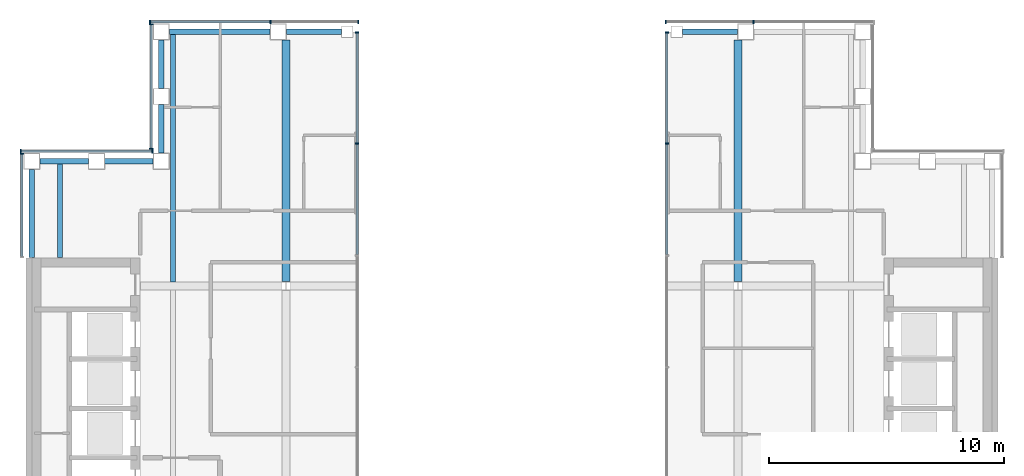
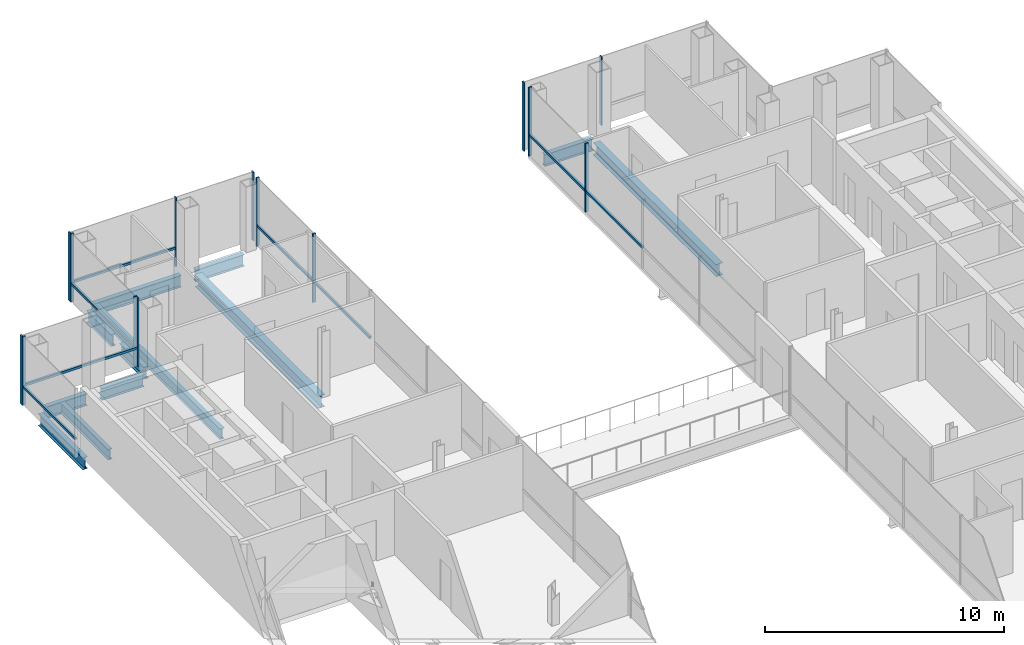
# One storey, part 7 of 15: 22 members, 12 beams, 7 elements without a shape of their own.
"""IFC4 building model written with IfcOpenShell, lengths in metres."""

from ifc_helpers import new_model, si_unit, direction, frame, origin, origin_2d, place, context, subcontext, project, spatial, rectangle, i_section, extrude, material, material_profile, profile_set, type_object, element, aggregate, save


model = new_model("IFC4")

# Units and contexts
model_context = context("Model", 3, precision=1e-05, world=origin(), true_north=direction((0.0, 1.0)))
body_context = subcontext(model_context, "Body", "Model", "MODEL_VIEW")
ifc_project = project(units=[si_unit("LENGTHUNIT", "METRE"), si_unit("AREAUNIT", "SQUARE_METRE"), si_unit("VOLUMEUNIT", "CUBIC_METRE"), si_unit("PLANEANGLEUNIT", "RADIAN"), si_unit("MASSUNIT", "GRAM", prefix="KILO")], contexts=[model_context])

# Site, building, storey
site_placement = place(None, origin())
site = spatial("IfcSite", under=ifc_project, at=site_placement, CompositionType="ELEMENT")
building_placement = place(site_placement, origin())
building = spatial("IfcBuilding", under=site, at=building_placement, Name="Cobrizo Arcos Hotel Tower", CompositionType="ELEMENT")
storey_placement = place(building_placement, frame((0.0, 0.0, 222.5)))
storey = spatial("IfcBuildingStorey", under=building, at=storey_placement, Name="L58", CompositionType="ELEMENT", Elevation=222.5)

# Curtain wall, members
ifc_material_1 = material(Name="Aluminium 6063-T6 anodised bronze", Category="aluminium")
curtain_wall_type_1 = type_object("IfcCurtainWallType", Name="CW-A guest facade", PredefinedType="NOTDEFINED", material=ifc_material_1)
curtain_wall_1_placement = place(storey_placement, origin())
curtain_wall_1 = element("IfcCurtainWall", 1, at=curtain_wall_1_placement, inside=storey, type_object=curtain_wall_type_1, Name="CW-A L58 N face", PredefinedType="NOTDEFINED")
ifc_material_profile_1 = material_profile(ifc_material_1, rectangle(XDim=0.14990234375, YDim=0.06005859375, at=origin_2d()), Name="CW-A mullion 150x60")
ifc_profile_set_1 = profile_set([ifc_material_profile_1], Name="Aluminium 6063-T6 anodised bronze")
member_type_1 = type_object("IfcMemberType", Name="CW-A mullion 150x60", PredefinedType="MULLION", material=ifc_profile_set_1)
member_1_placement = place(storey_placement, frame((10.2666015625, 20.824951171875, 0.0), z_axis=(0.0, 0.0, 1.0), x_axis=(0.0, 1.0, 0.0)))
member_1 = element("IfcMember", 2, at=member_1_placement, type_object=member_type_1, Name="CW-A mullion 2", PredefinedType="MULLION", context=body_context, shape_type="SweptSolid", body=[
    extrude(rectangle(XDim=0.14990234375, YDim=0.06005859375, at=origin_2d()), origin(), (0.0, 0.0, 1.0), 3.5),
])
member_2_placement = place(storey_placement, frame((6.530029296875, 20.824951171875, 0.0), z_axis=(0.0, 0.0, 1.0), x_axis=(0.0, 1.0, 0.0)))
member_2 = element("IfcMember", 3, at=member_2_placement, type_object=member_type_1, Name="CW-A mullion 3", PredefinedType="MULLION", context=body_context, shape_type="SweptSolid", body=[
    extrude(rectangle(XDim=0.14990234375, YDim=0.06005859375, at=origin_2d()), origin(), (0.0, 0.0, 1.0), 3.5),
])
aggregate(curtain_wall_1, [member_1, member_2])

curtain_wall_2_placement = place(storey_placement, origin())
curtain_wall_2 = element("IfcCurtainWall", 4, at=curtain_wall_2_placement, inside=storey, type_object=curtain_wall_type_1, Name="CW-A L58 N face", PredefinedType="NOTDEFINED")
member_3_placement = place(storey_placement, frame((-6.530029296875, 20.824951171875, 0.0), z_axis=(0.0, 0.0, 1.0), x_axis=(0.0, 1.0, 0.0)))
member_3 = element("IfcMember", 5, at=member_3_placement, type_object=member_type_1, Name="CW-A mullion 1", PredefinedType="MULLION", context=body_context, shape_type="SweptSolid", body=[
    extrude(rectangle(XDim=0.14990234375, YDim=0.06005859375, at=origin_2d()), origin(), (0.0, 0.0, 1.0), 3.5),
])
member_4_placement = place(storey_placement, frame((-10.2666015625, 20.824951171875, 0.0), z_axis=(0.0, 0.0, 1.0), x_axis=(0.0, 1.0, 0.0)))
member_4 = element("IfcMember", 6, at=member_4_placement, type_object=member_type_1, Name="CW-A mullion 2", PredefinedType="MULLION", context=body_context, shape_type="SweptSolid", body=[
    extrude(rectangle(XDim=0.14990234375, YDim=0.06005859375, at=origin_2d()), origin(), (0.0, 0.0, 1.0), 3.5),
])
member_5_placement = place(storey_placement, frame((-15.3701171875, 20.824951171875, 0.0), z_axis=(0.0, 0.0, 1.0), x_axis=(0.0, 1.0, 0.0)))
member_5 = element("IfcMember", 7, at=member_5_placement, type_object=member_type_1, Name="CW-A mullion 3", PredefinedType="MULLION", context=body_context, shape_type="SweptSolid", body=[
    extrude(rectangle(XDim=0.14990234375, YDim=0.06005859375, at=origin_2d()), origin(), (0.0, 0.0, 1.0), 3.5),
])

curtain_wall_3_placement = place(storey_placement, origin())
curtain_wall_3 = element("IfcCurtainWall", 8, at=curtain_wall_3_placement, inside=storey, type_object=curtain_wall_type_1, Name="CW-A L58 W face", PredefinedType="NOTDEFINED")
member_6_placement = place(storey_placement, frame((-15.324951171875, 20.719970703125, 0.0), z_axis=(0.0, 0.0, 1.0), x_axis=(-1.0, 0.0, 0.0)))
member_6 = element("IfcMember", 9, at=member_6_placement, type_object=member_type_1, Name="CW-A mullion 1", PredefinedType="MULLION", context=body_context, shape_type="SweptSolid", body=[
    extrude(rectangle(XDim=0.14990234375, YDim=0.06005859375, at=origin_2d()), origin(), (0.0, 0.0, 1.0), 3.5),
])
member_7_placement = place(storey_placement, frame((-15.324951171875, 15.429931640625, 0.0), z_axis=(0.0, 0.0, 1.0), x_axis=(-1.0, 0.0, 0.0)))
member_7 = element("IfcMember", 10, at=member_7_placement, type_object=member_type_1, Name="CW-A mullion 2", PredefinedType="MULLION", context=body_context, shape_type="SweptSolid", body=[
    extrude(rectangle(XDim=0.14990234375, YDim=0.06005859375, at=origin_2d()), origin(), (0.0, 0.0, 1.0), 3.5),
])

curtain_wall_4_placement = place(storey_placement, origin())
curtain_wall_4 = element("IfcCurtainWall", 11, at=curtain_wall_4_placement, inside=storey, type_object=curtain_wall_type_1, Name="CW-A L58 N face", PredefinedType="NOTDEFINED")
member_8_placement = place(storey_placement, frame((-15.280029296875, 15.324951171875, 0.0), z_axis=(0.0, 0.0, 1.0), x_axis=(0.0, 1.0, 0.0)))
member_8 = element("IfcMember", 12, at=member_8_placement, type_object=member_type_1, Name="CW-A mullion 1", PredefinedType="MULLION", context=body_context, shape_type="SweptSolid", body=[
    extrude(rectangle(XDim=0.14990234375, YDim=0.06005859375, at=origin_2d()), origin(), (0.0, 0.0, 1.0), 3.5),
])
member_9_placement = place(storey_placement, frame((-20.8701171875, 15.324951171875, 0.0), z_axis=(0.0, 0.0, 1.0), x_axis=(0.0, 1.0, 0.0)))
member_9 = element("IfcMember", 13, at=member_9_placement, type_object=member_type_1, Name="CW-A mullion 2", PredefinedType="MULLION", context=body_context, shape_type="SweptSolid", body=[
    extrude(rectangle(XDim=0.14990234375, YDim=0.06005859375, at=origin_2d()), origin(), (0.0, 0.0, 1.0), 3.5),
])

# Curtain wall, member
curtain_wall_5_placement = place(storey_placement, origin())
curtain_wall_5 = element("IfcCurtainWall", 14, at=curtain_wall_5_placement, inside=storey, type_object=curtain_wall_type_1, Name="CW-A L58 W face", PredefinedType="NOTDEFINED")
member_10_placement = place(storey_placement, frame((-20.824951171875, 15.219970703125, 0.0), z_axis=(0.0, 0.0, 1.0), x_axis=(-1.0, 0.0, 0.0)))
member_10 = element("IfcMember", 15, at=member_10_placement, type_object=member_type_1, Name="CW-A mullion 1", PredefinedType="MULLION", context=body_context, shape_type="SweptSolid", body=[
    extrude(rectangle(XDim=0.14990234375, YDim=0.06005859375, at=origin_2d()), origin(), (0.0, 0.0, 1.0), 3.5),
])

# Member
ifc_material_profile_2 = material_profile(ifc_material_1, rectangle(XDim=0.10009765625, YDim=0.1201171875, at=origin_2d()), Name="CW-A transom 120x100")
ifc_profile_set_2 = profile_set([ifc_material_profile_2], Name="Aluminium 6063-T6 anodised bronze")
member_type_2 = type_object("IfcMemberType", Name="CW-A transom 120x100", PredefinedType="USERDEFINED", material=ifc_profile_set_2)
member_11_placement = place(storey_placement, frame((-10.296630859375, 20.824951171875, 0.929931640625), z_axis=(-1.0, 0.0, 0.0), x_axis=(0.0, -1.0, 0.0)))
member_11 = element("IfcMember", 16, at=member_11_placement, type_object=member_type_2, Name="CW-A transom 1921", ObjectType="TRANSOM", PredefinedType="USERDEFINED", context=body_context, shape_type="SweptSolid", body=[
    extrude(rectangle(XDim=0.10009765625, YDim=0.1201171875, at=origin_2d()), origin(), (0.0, 0.0, 1.0), 5.04345703125),
])

aggregate(curtain_wall_2, [member_3, member_4, member_5, member_11])

member_12_placement = place(storey_placement, frame((-15.324951171875, 20.68994140625, 0.929931640625), z_axis=(0.0, -1.0, 0.0), x_axis=(1.0, 0.0, 0.0)))
member_12 = element("IfcMember", 17, at=member_12_placement, type_object=member_type_2, Name="CW-A transom 1922", ObjectType="TRANSOM", PredefinedType="USERDEFINED", context=body_context, shape_type="SweptSolid", body=[
    extrude(rectangle(XDim=0.10009765625, YDim=0.1201171875, at=origin_2d()), origin(), (0.0, 0.0, 1.0), 5.22998046875),
])

aggregate(curtain_wall_3, [member_6, member_7, member_12])

member_13_placement = place(storey_placement, frame((-15.31005859375, 15.324951171875, 0.929931640625), z_axis=(-1.0, 0.0, 0.0), x_axis=(0.0, -1.0, 0.0)))
member_13 = element("IfcMember", 18, at=member_13_placement, type_object=member_type_2, Name="CW-A transom 1923", ObjectType="TRANSOM", PredefinedType="USERDEFINED", context=body_context, shape_type="SweptSolid", body=[
    extrude(rectangle(XDim=0.10009765625, YDim=0.1201171875, at=origin_2d()), origin(), (0.0, 0.0, 1.0), 5.530029296875),
])

aggregate(curtain_wall_4, [member_8, member_9, member_13])

member_14_placement = place(storey_placement, frame((-20.824951171875, 15.18994140625, 0.929931640625), z_axis=(0.0, -1.0, 0.0), x_axis=(1.0, 0.0, 0.0)))
member_14 = element("IfcMember", 19, at=member_14_placement, type_object=member_type_2, Name="CW-A transom 1924", ObjectType="TRANSOM", PredefinedType="USERDEFINED", context=body_context, shape_type="SweptSolid", body=[
    extrude(rectangle(XDim=0.10009765625, YDim=0.1201171875, at=origin_2d()), origin(), (0.0, 0.0, 1.0), 4.329833984375),
])

aggregate(curtain_wall_5, [member_10, member_14])

# Curtain wall, members
curtain_wall_type_2 = type_object("IfcCurtainWallType", Name="CW-F void screen", PredefinedType="NOTDEFINED", material=ifc_material_1)
curtain_wall_6_placement = place(storey_placement, origin())
curtain_wall_6 = element("IfcCurtainWall", 20, at=curtain_wall_6_placement, inside=storey, type_object=curtain_wall_type_2, Name="CW-F L58 void screen C", PredefinedType="NOTDEFINED")
ifc_material_profile_3 = material_profile(ifc_material_1, rectangle(XDim=0.14990234375, YDim=0.06005859375, at=origin_2d()), Name="CW-F mullion 150x60")
ifc_profile_set_3 = profile_set([ifc_material_profile_3], Name="Aluminium 6063-T6 anodised bronze")
member_type_3 = type_object("IfcMemberType", Name="CW-F mullion 150x60", PredefinedType="MULLION", material=ifc_profile_set_3)
member_15_placement = place(storey_placement, frame((6.574951171875, 15.64990234375, 0.0), z_axis=(0.0, 0.0, 1.0), x_axis=(1.0, 0.0, 0.0)))
member_15 = element("IfcMember", 21, at=member_15_placement, type_object=member_type_3, Name="CW-F mullion 4", PredefinedType="MULLION", context=body_context, shape_type="SweptSolid", body=[
    extrude(rectangle(XDim=0.14990234375, YDim=0.06005859375, at=origin_2d()), origin(), (0.0, 0.0, 1.0), 3.5),
])
member_16_placement = place(storey_placement, frame((6.574951171875, 20.3701171875, 0.0), z_axis=(0.0, 0.0, 1.0), x_axis=(1.0, 0.0, 0.0)))
member_16 = element("IfcMember", 22, at=member_16_placement, type_object=member_type_3, Name="CW-F mullion 5", PredefinedType="MULLION", context=body_context, shape_type="SweptSolid", body=[
    extrude(rectangle(XDim=0.14990234375, YDim=0.06005859375, at=origin_2d()), origin(), (0.0, 0.0, 1.0), 3.5),
])

curtain_wall_7_placement = place(storey_placement, origin())
curtain_wall_7 = element("IfcCurtainWall", 23, at=curtain_wall_7_placement, inside=storey, type_object=curtain_wall_type_2, Name="CW-F L58 void screen C", PredefinedType="NOTDEFINED")
member_17_placement = place(storey_placement, frame((-6.574951171875, 20.3701171875, 0.0), z_axis=(0.0, 0.0, 1.0), x_axis=(-1.0, 0.0, 0.0)))
member_17 = element("IfcMember", 24, at=member_17_placement, type_object=member_type_3, Name="CW-F mullion 1", PredefinedType="MULLION", context=body_context, shape_type="SweptSolid", body=[
    extrude(rectangle(XDim=0.14990234375, YDim=0.06005859375, at=origin_2d()), origin(), (0.0, 0.0, 1.0), 3.5),
])
member_18_placement = place(storey_placement, frame((-6.574951171875, 15.64990234375, 0.0), z_axis=(0.0, 0.0, 1.0), x_axis=(-1.0, 0.0, 0.0)))
member_18 = element("IfcMember", 25, at=member_18_placement, type_object=member_type_3, Name="CW-F mullion 2", PredefinedType="MULLION", context=body_context, shape_type="SweptSolid", body=[
    extrude(rectangle(XDim=0.14990234375, YDim=0.06005859375, at=origin_2d()), origin(), (0.0, 0.0, 1.0), 3.5),
])

# Member
ifc_material_profile_4 = material_profile(ifc_material_1, rectangle(XDim=0.10009765625, YDim=0.1201171875, at=origin_2d()), Name="CW-F transom 120x100")
ifc_profile_set_4 = profile_set([ifc_material_profile_4], Name="Aluminium 6063-T6 anodised bronze")
member_type_4 = type_object("IfcMemberType", Name="CW-F transom 120x100", PredefinedType="USERDEFINED", material=ifc_profile_set_4)
member_19_placement = place(storey_placement, frame((6.574951171875, 10.929931640625, 1.050048828125), z_axis=(0.0, 1.0, 0.0), x_axis=(-1.0, 0.0, 0.0)))
member_19 = element("IfcMember", 26, at=member_19_placement, type_object=member_type_4, Name="CW-F transom 2706", ObjectType="TRANSOM", PredefinedType="USERDEFINED", context=body_context, shape_type="SweptSolid", body=[
    extrude(rectangle(XDim=0.10009765625, YDim=0.1201171875, at=origin_2d()), origin(), (0.0, 0.0, 1.0), 4.690185546875),
])

member_20_placement = place(storey_placement, frame((6.574951171875, 15.679931640625, 1.050048828125), z_axis=(0.0, 1.0, 0.0), x_axis=(-1.0, 0.0, 0.0)))
member_20 = element("IfcMember", 27, at=member_20_placement, type_object=member_type_4, Name="CW-F transom 2707", ObjectType="TRANSOM", PredefinedType="USERDEFINED", context=body_context, shape_type="SweptSolid", body=[
    extrude(rectangle(XDim=0.10009765625, YDim=0.1201171875, at=origin_2d()), origin(), (0.0, 0.0, 1.0), 4.66015625),
])

aggregate(curtain_wall_6, [member_15, member_16, member_19, member_20])

member_21_placement = place(storey_placement, frame((-6.574951171875, 20.340087890625, 1.050048828125), z_axis=(0.0, -1.0, 0.0), x_axis=(1.0, 0.0, 0.0)))
member_21 = element("IfcMember", 28, at=member_21_placement, type_object=member_type_4, Name="CW-F transom 2708", ObjectType="TRANSOM", PredefinedType="USERDEFINED", context=body_context, shape_type="SweptSolid", body=[
    extrude(rectangle(XDim=0.10009765625, YDim=0.1201171875, at=origin_2d()), origin(), (0.0, 0.0, 1.0), 4.66015625),
])

member_22_placement = place(storey_placement, frame((-6.574951171875, 15.6201171875, 1.050048828125), z_axis=(0.0, -1.0, 0.0), x_axis=(1.0, 0.0, 0.0)))
member_22 = element("IfcMember", 29, at=member_22_placement, type_object=member_type_4, Name="CW-F transom 2709", ObjectType="TRANSOM", PredefinedType="USERDEFINED", context=body_context, shape_type="SweptSolid", body=[
    extrude(rectangle(XDim=0.10009765625, YDim=0.1201171875, at=origin_2d()), origin(), (0.0, 0.0, 1.0), 4.690185546875),
])

aggregate(curtain_wall_7, [member_17, member_18, member_21, member_22])

# Beams
ifc_material_2 = material(Name="Steel ASTM A992 Grade 50", Category="steel")
ifc_material_profile_5 = material_profile(ifc_material_2, i_section(OverallWidth=0.209228515625, OverallDepth=0.533447265625, WebThickness=0.01025390625, FlangeThickness=0.015625, at=origin_2d()), Name="W21X62")
ifc_profile_set_5 = profile_set([ifc_material_profile_5], Name="Steel ASTM A992 Grade 50")
beam_type_1 = type_object("IfcBeamType", Name="W21X62 joist", PredefinedType="JOIST", material=ifc_profile_set_5)
beam_1_placement = place(storey_placement, frame((-19.199951171875, 10.81005859375, -0.416748046875), z_axis=(0.0, 1.0, 0.0), x_axis=(-1.0, 0.0, 0.0)))
element("IfcBeam", 30, at=beam_1_placement, inside=storey, type_object=beam_type_1, Name="Floor joist J1, L58, no. 002", PredefinedType="JOIST", context=body_context, shape_type="SweptSolid", body=[
    extrude(i_section(OverallWidth=0.209228515625, OverallDepth=0.533447265625, WebThickness=0.01025390625, FlangeThickness=0.015625, at=origin_2d()), origin(), (0.0, 0.0, 1.0), 4.0),
])
beam_2_placement = place(storey_placement, frame((-14.39990234375, 9.763916015625, -0.416748046875), z_axis=(0.0, 1.0, 0.0), x_axis=(-1.0, 0.0, 0.0)))
element("IfcBeam", 31, at=beam_2_placement, inside=storey, type_object=beam_type_1, Name="Floor joist J1, L58, no. 006", PredefinedType="JOIST", context=body_context, shape_type="SweptSolid", body=[
    extrude(i_section(OverallWidth=0.209228515625, OverallDepth=0.533447265625, WebThickness=0.01025390625, FlangeThickness=0.015625, at=origin_2d()), origin(), (0.0, 0.0, 1.0), 10.546142578125),
])
ifc_material_profile_6 = material_profile(ifc_material_2, i_section(OverallWidth=0.32763671875, OverallDepth=0.622314453125, WebThickness=0.015380859375, FlangeThickness=0.0244140625, at=origin_2d()), Name="W24X131")
ifc_profile_set_6 = profile_set([ifc_material_profile_6], Name="Steel ASTM A992 Grade 50")
beam_type_2 = type_object("IfcBeamType", Name="W24X131 girder", PredefinedType="BEAM", material=ifc_profile_set_6)
for number, where, z_axis, x_axis, name in (
    (32, (-9.60009765625, 9.78662109375, -0.461181640625), (0.0, 1.0, 0.0), (-1.0, 0.0, 0.0), "Floor girder G1, L58, no. 015"),
    (33, (9.60009765625, 9.78662109375, -0.461181640625), (0.0, 1.0, 0.0), (-1.0, 0.0, 0.0), "Floor girder G1, L58, no. 019"),
):
    element("IfcBeam", number, at=place(storey_placement, frame(where, z_axis=z_axis, x_axis=x_axis)), inside=storey, type_object=beam_type_2, Name=name, PredefinedType="BEAM", context=body_context, shape_type="SweptSolid", body=[
        extrude(i_section(OverallWidth=0.32763671875, OverallDepth=0.622314453125, WebThickness=0.015380859375, FlangeThickness=0.0244140625, at=origin_2d()), origin(), (0.0, 0.0, 1.0), 10.263427734375),
    ])
ifc_material_profile_7 = material_profile(ifc_material_2, i_section(OverallWidth=0.228271484375, OverallDepth=0.607177734375, WebThickness=0.01123046875, FlangeThickness=0.017333984375, at=origin_2d()), Name="W24X76")
ifc_profile_set_7 = profile_set([ifc_material_profile_7], Name="Steel ASTM A992 Grade 50")
beam_type_3 = type_object("IfcBeamType", Name="W24X76 spandrel", PredefinedType="SPANDREL", material=ifc_profile_set_7)
beam_3_placement = place(storey_placement, frame((-20.39990234375, 10.81005859375, -0.45361328125), z_axis=(0.0, 1.0, 0.0), x_axis=(-1.0, 0.0, 0.0)))
element("IfcBeam", 34, at=beam_3_placement, inside=storey, type_object=beam_type_3, Name="Spandrel beam W24X76, L58, no. 018", PredefinedType="SPANDREL", context=body_context, shape_type="SweptSolid", body=[
    extrude(i_section(OverallWidth=0.228271484375, OverallDepth=0.607177734375, WebThickness=0.01123046875, FlangeThickness=0.017333984375, at=origin_2d()), origin(), (0.0, 0.0, 1.0), 3.739990234375),
])
for number, where, z_axis, x_axis, name in (
    (35, (-20.050048828125, 14.89990234375, -0.45361328125), (1.0, 0.0, 0.0), (0.0, 1.0, 0.0), "Spandrel beam W24X76, L58, no. 019"),
    (36, (-17.300048828125, 14.89990234375, -0.45361328125), (1.0, 0.0, 0.0), (0.0, 1.0, 0.0), "Spandrel beam W24X76, L58, no. 020"),
    (37, (-14.89990234375, 15.25, -0.45361328125), (0.0, 1.0, 0.0), (-1.0, 0.0, 0.0), "Spandrel beam W24X76, L58, no. 021"),
    (38, (-14.89990234375, 18.0, -0.45361328125), (0.0, 1.0, 0.0), (-1.0, 0.0, 0.0), "Spandrel beam W24X76, L58, no. 022"),
):
    element("IfcBeam", number, at=place(storey_placement, frame(where, z_axis=z_axis, x_axis=x_axis)), inside=storey, type_object=beam_type_3, Name=name, PredefinedType="SPANDREL", context=body_context, shape_type="SweptSolid", body=[
        extrude(i_section(OverallWidth=0.228271484375, OverallDepth=0.607177734375, WebThickness=0.01123046875, FlangeThickness=0.017333984375, at=origin_2d()), origin(), (0.0, 0.0, 1.0), 2.050048828125),
    ])
beam_4_placement = place(storey_placement, frame((-14.550048828125, 20.39990234375, -0.45361328125), z_axis=(1.0, 0.0, 0.0), x_axis=(0.0, 1.0, 0.0)))
element("IfcBeam", 39, at=beam_4_placement, inside=storey, type_object=beam_type_3, Name="Spandrel beam W24X76, L58, no. 023", PredefinedType="SPANDREL", context=body_context, shape_type="SweptSolid", body=[
    extrude(i_section(OverallWidth=0.228271484375, OverallDepth=0.607177734375, WebThickness=0.01123046875, FlangeThickness=0.017333984375, at=origin_2d()), origin(), (0.0, 0.0, 1.0), 4.26708984375),
])
for number, where, z_axis, x_axis, name in (
    (40, (-9.5830078125, 20.39990234375, -0.45361328125), (1.0, 0.0, 0.0), (0.0, 1.0, 0.0), "Spandrel beam W24X76, L58, no. 024"),
    (41, (7.25, 20.39990234375, -0.45361328125), (1.0, 0.0, 0.0), (0.0, 1.0, 0.0), "Spandrel beam W24X76, L58, no. 025"),
):
    element("IfcBeam", number, at=place(storey_placement, frame(where, z_axis=z_axis, x_axis=x_axis)), inside=storey, type_object=beam_type_3, Name=name, PredefinedType="SPANDREL", context=body_context, shape_type="SweptSolid", body=[
        extrude(i_section(OverallWidth=0.228271484375, OverallDepth=0.607177734375, WebThickness=0.01123046875, FlangeThickness=0.017333984375, at=origin_2d()), origin(), (0.0, 0.0, 1.0), 2.3330078125),
    ])

save(model, "model.ifc")
